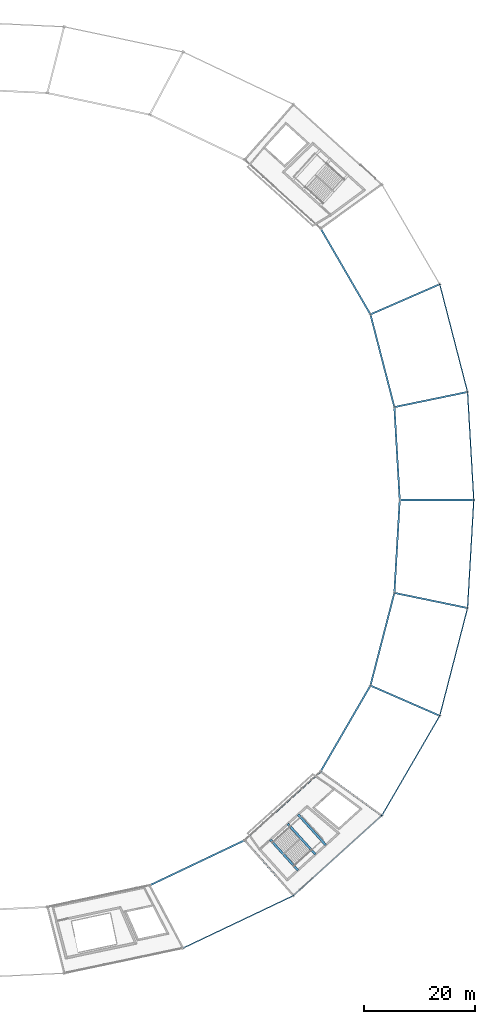
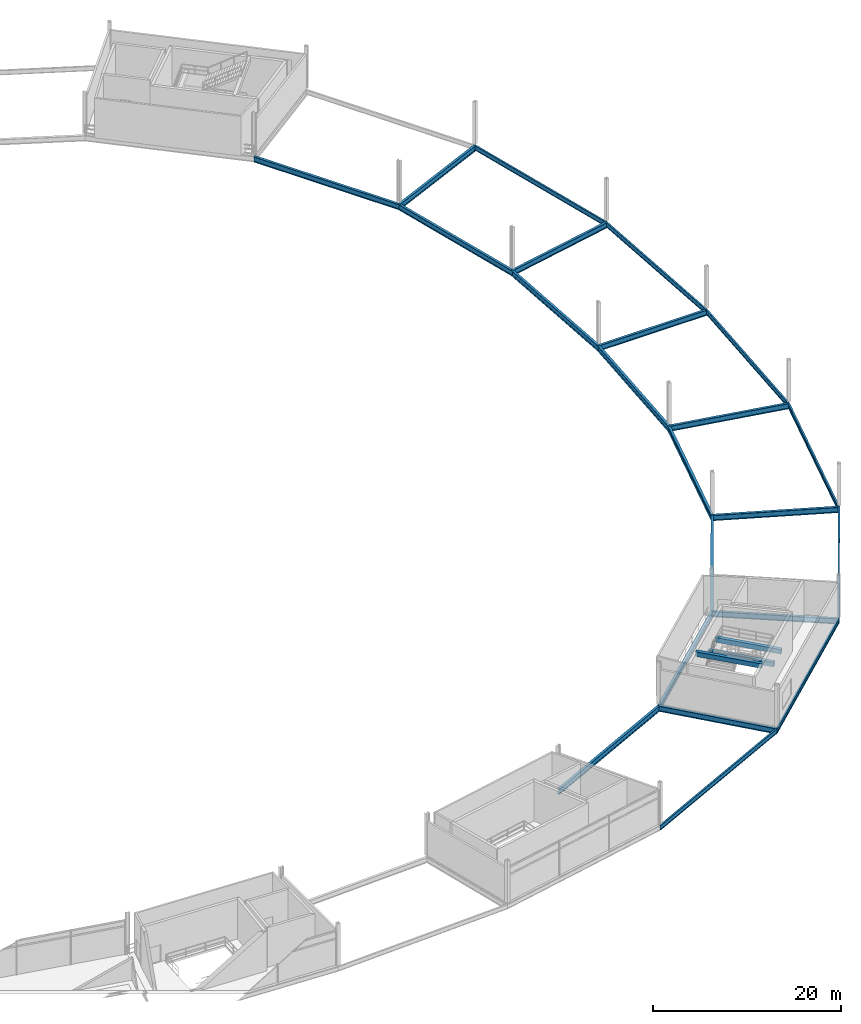
# One storey, part 47 of 86: 25 beams.
"""IFC4 building model written with IfcOpenShell, lengths in metres."""

from ifc_helpers import new_model, si_unit, direction, frame, origin, origin_2d, place, context, subcontext, project, spatial, rectangle, i_section, extrude, material, material_profile, profile_set, type_object, element, save


model = new_model("IFC4")

# Units and contexts
model_context = context("Model", 3, precision=1e-05, world=origin(), true_north=direction((0.0, 1.0)))
body_context = subcontext(model_context, "Body", "Model", "MODEL_VIEW")
ifc_project = project(units=[si_unit("LENGTHUNIT", "METRE"), si_unit("AREAUNIT", "SQUARE_METRE"), si_unit("VOLUMEUNIT", "CUBIC_METRE"), si_unit("PLANEANGLEUNIT", "RADIAN"), si_unit("MASSUNIT", "GRAM", prefix="KILO")], contexts=[model_context])

# Site, building, storey
site_placement = place(None, origin())
site = spatial("IfcSite", under=ifc_project, at=site_placement, CompositionType="ELEMENT")
building_placement = place(site_placement, origin())
building = spatial("IfcBuilding", under=site, at=building_placement, Name="Kazemori Nagisa Stadium", CompositionType="ELEMENT")
storey_placement = place(building_placement, frame((0.0, 0.0, 31.280029296875)))
storey = spatial("IfcBuildingStorey", under=building, at=storey_placement, Name="L06", CompositionType="ELEMENT", Elevation=31.280029296875)

# Beams
ifc_material_1 = material(Name="Steel SN490B", Category="steel")
ifc_material_profile_1 = material_profile(ifc_material_1, i_section(OverallWidth=0.300048828125, OverallDepth=0.699951171875, WebThickness=0.012939453125, FlangeThickness=0.02392578125, FilletRadius=0.01806640625, at=origin_2d()), Name="H-700x300x13x24")
ifc_profile_set_1 = profile_set([ifc_material_profile_1], Name="Steel SN490B")
beam_type_1 = type_object("IfcBeamType", Name="Beam_BG-H700", PredefinedType="BEAM", material=ifc_profile_set_1)
beam_1_placement = place(storey_placement, frame((204.699951171875, 102.0, -0.610107421875), z_axis=(-0.057594854854, 0.998340038611, 0.0), x_axis=(-0.998340038611, -0.057594854854, 0.0)))
element("IfcBeam", 1, at=beam_1_placement, inside=storey, type_object=beam_type_1, Name="Ring girder BG-H700 L06 R2-01", PredefinedType="BEAM", context=body_context, shape_type="SweptSolid", body=[
    extrude(i_section(OverallWidth=0.300048828125, OverallDepth=0.699951171875, WebThickness=0.012939453125, FlangeThickness=0.02392578125, FilletRadius=0.01806640625, at=origin_2d()), origin(), (0.0, 0.0, 1.0), 16.7099609375),
])
beam_2_placement = place(storey_placement, frame((203.737548828125, 118.68212890625, -0.610107421875), z_axis=(-0.249974673676, 0.968252375427, 0.0), x_axis=(-0.968252375427, -0.249974673676, 0.0)))
element("IfcBeam", 2, at=beam_2_placement, inside=storey, type_object=beam_type_1, Name="Ring girder BG-H700 L06 R2-02", PredefinedType="BEAM", context=body_context, shape_type="SweptSolid", body=[
    extrude(i_section(OverallWidth=0.300048828125, OverallDepth=0.699951171875, WebThickness=0.012939453125, FlangeThickness=0.02392578125, FilletRadius=0.01806640625, at=origin_2d()), origin(), (0.0, 0.0, 1.0), 17.188232421875),
])
beam_3_placement = place(storey_placement, frame((199.44091796875, 135.32470703125, -0.610107421875), z_axis=(-0.501606704589, 0.865095783085, 0.0), x_axis=(-0.865095783085, -0.501606704589, 0.0)))
element("IfcBeam", 3, at=beam_3_placement, inside=storey, type_object=beam_type_1, Name="Ring girder BG-H700 L06 R2-03", PredefinedType="BEAM", context=body_context, shape_type="SweptSolid", body=[
    extrude(i_section(OverallWidth=0.300048828125, OverallDepth=0.699951171875, WebThickness=0.012939453125, FlangeThickness=0.02392578125, FilletRadius=0.01806640625, at=origin_2d()), origin(), (0.0, 0.0, 1.0), 17.8125),
])
beam_4_placement = place(storey_placement, frame((159.81201171875, 32.80078125, -0.610107421875), z_axis=(0.90321938295, 0.42917915404, 0.0), x_axis=(-0.42917915404, 0.90321938295, 0.0)))
element("IfcBeam", 4, at=beam_4_placement, inside=storey, type_object=beam_type_1, Name="Ring girder BG-H700 L06 R2-24", PredefinedType="BEAM", context=body_context, shape_type="SweptSolid", body=[
    extrude(i_section(OverallWidth=0.300048828125, OverallDepth=0.699951171875, WebThickness=0.012939453125, FlangeThickness=0.02392578125, FilletRadius=0.01806640625, at=origin_2d()), origin(), (0.0, 0.0, 1.0), 18.84619140625),
])
beam_5_placement = place(storey_placement, frame((176.834228515625, 40.88916015625, -0.610107421875), z_axis=(0.741349142139, 0.671119549298, 0.0), x_axis=(-0.671119549298, 0.741349142139, 0.0)))
element("IfcBeam", 5, at=beam_5_placement, inside=storey, type_object=beam_type_1, Name="Ring girder BG-H700 L06 R2-25", PredefinedType="BEAM", context=body_context, shape_type="SweptSolid", body=[
    extrude(i_section(OverallWidth=0.300048828125, OverallDepth=0.699951171875, WebThickness=0.012939453125, FlangeThickness=0.02392578125, FilletRadius=0.01806640625, at=origin_2d()), origin(), (0.0, 0.0, 1.0), 18.44189453125),
])
beam_6_placement = place(storey_placement, frame((190.506103515625, 53.265869140625, -0.610107421875), z_axis=(0.501606704589, 0.865095783085, 0.0), x_axis=(-0.865095783085, 0.501606704589, 0.0)))
element("IfcBeam", 6, at=beam_6_placement, inside=storey, type_object=beam_type_1, Name="Ring girder BG-H700 L06 R2-26", PredefinedType="BEAM", context=body_context, shape_type="SweptSolid", body=[
    extrude(i_section(OverallWidth=0.300048828125, OverallDepth=0.699951171875, WebThickness=0.012939453125, FlangeThickness=0.02392578125, FilletRadius=0.01806640625, at=origin_2d()), origin(), (0.0, 0.0, 1.0), 17.8125),
])
beam_7_placement = place(storey_placement, frame((199.44091796875, 68.67529296875, -0.610107421875), z_axis=(0.249974673676, 0.968252375427, 0.0), x_axis=(-0.968252375427, 0.249974673676, 0.0)))
element("IfcBeam", 7, at=beam_7_placement, inside=storey, type_object=beam_type_1, Name="Ring girder BG-H700 L06 R2-27", PredefinedType="BEAM", context=body_context, shape_type="SweptSolid", body=[
    extrude(i_section(OverallWidth=0.300048828125, OverallDepth=0.699951171875, WebThickness=0.012939453125, FlangeThickness=0.02392578125, FilletRadius=0.01806640625, at=origin_2d()), origin(), (0.0, 0.0, 1.0), 17.188232421875),
])
beam_8_placement = place(storey_placement, frame((203.737548828125, 85.31787109375, -0.610107421875), z_axis=(0.057594854854, 0.998340038611, 0.0), x_axis=(-0.998340038611, 0.057594854854, 0.0)))
element("IfcBeam", 8, at=beam_8_placement, inside=storey, type_object=beam_type_1, Name="Ring girder BG-H700 L06 R2-28", PredefinedType="BEAM", context=body_context, shape_type="SweptSolid", body=[
    extrude(i_section(OverallWidth=0.300048828125, OverallDepth=0.699951171875, WebThickness=0.012939453125, FlangeThickness=0.02392578125, FilletRadius=0.01806640625, at=origin_2d()), origin(), (0.0, 0.0, 1.0), 16.7099609375),
])
beam_9_placement = place(storey_placement, frame((204.699951171875, 102.0, -0.610107421875), z_axis=(1.0, 0.0, 0.0), x_axis=(0.0, 1.0, 0.0)))
element("IfcBeam", 9, at=beam_9_placement, inside=storey, type_object=beam_type_1, Name="Radial girder BG-H700 L06 R2-R3-01", PredefinedType="BEAM", context=body_context, shape_type="SweptSolid", body=[
    extrude(i_section(OverallWidth=0.300048828125, OverallDepth=0.699951171875, WebThickness=0.012939453125, FlangeThickness=0.02392578125, FilletRadius=0.01806640625, at=origin_2d()), origin(), (0.0, 0.0, 1.0), 13.300048828125),
])
beam_10_placement = place(storey_placement, frame((203.737548828125, 118.68212890625, -0.610107421875), z_axis=(0.979315516463, 0.202339119339, 0.0), x_axis=(-0.202339119339, 0.979315516463, 0.0)))
element("IfcBeam", 10, at=beam_10_placement, inside=storey, type_object=beam_type_1, Name="Radial girder BG-H700 L06 R2-R3-02", PredefinedType="BEAM", context=body_context, shape_type="SweptSolid", body=[
    extrude(i_section(OverallWidth=0.300048828125, OverallDepth=0.699951171875, WebThickness=0.012939453125, FlangeThickness=0.02392578125, FilletRadius=0.01806640625, at=origin_2d()), origin(), (0.0, 0.0, 1.0), 13.4208984375),
])
beam_11_placement = place(storey_placement, frame((199.44091796875, 135.32470703125, -0.610107421875), z_axis=(0.916683633521, 0.399613708517, 0.0), x_axis=(-0.399613708517, 0.916683633521, 0.0)))
element("IfcBeam", 11, at=beam_11_placement, inside=storey, type_object=beam_type_1, Name="Radial girder BG-H700 L06 R2-R3-03", PredefinedType="BEAM", context=body_context, shape_type="SweptSolid", body=[
    extrude(i_section(OverallWidth=0.300048828125, OverallDepth=0.699951171875, WebThickness=0.012939453125, FlangeThickness=0.02392578125, FilletRadius=0.01806640625, at=origin_2d()), origin(), (0.0, 0.0, 1.0), 13.5751953125),
])
beam_12_placement = place(storey_placement, frame((176.834228515625, 40.88916015625, -0.610107421875), z_axis=(0.661019680997, -0.750368563664, 0.0), x_axis=(0.750368563664, 0.661019680997, 0.0)))
element("IfcBeam", 12, at=beam_12_placement, inside=storey, type_object=beam_type_1, Name="Radial girder BG-H700 L06 R2-R3-25", PredefinedType="BEAM", context=body_context, shape_type="SweptSolid", body=[
    extrude(i_section(OverallWidth=0.300048828125, OverallDepth=0.699951171875, WebThickness=0.012939453125, FlangeThickness=0.02392578125, FilletRadius=0.01806640625, at=origin_2d()), origin(), (0.0, 0.0, 1.0), 13.2578125),
])
beam_13_placement = place(storey_placement, frame((190.506103515625, 53.265869140625, -0.610107421875), z_axis=(0.810787509935, -0.585340596349, 0.0), x_axis=(0.585340596349, 0.810787509935, 0.0)))
element("IfcBeam", 13, at=beam_13_placement, inside=storey, type_object=beam_type_1, Name="Radial girder BG-H700 L06 R2-R3-26", PredefinedType="BEAM", context=body_context, shape_type="SweptSolid", body=[
    extrude(i_section(OverallWidth=0.300048828125, OverallDepth=0.699951171875, WebThickness=0.012939453125, FlangeThickness=0.02392578125, FilletRadius=0.01806640625, at=origin_2d()), origin(), (0.0, 0.0, 1.0), 13.5537109375),
])
beam_14_placement = place(storey_placement, frame((199.44091796875, 68.67529296875, -0.610107421875), z_axis=(0.916683633521, -0.399613708517, 0.0), x_axis=(0.399613708517, 0.916683633521, 0.0)))
element("IfcBeam", 14, at=beam_14_placement, inside=storey, type_object=beam_type_1, Name="Radial girder BG-H700 L06 R2-R3-27", PredefinedType="BEAM", context=body_context, shape_type="SweptSolid", body=[
    extrude(i_section(OverallWidth=0.300048828125, OverallDepth=0.699951171875, WebThickness=0.012939453125, FlangeThickness=0.02392578125, FilletRadius=0.01806640625, at=origin_2d()), origin(), (0.0, 0.0, 1.0), 13.5751953125),
])
beam_15_placement = place(storey_placement, frame((203.737548828125, 85.31787109375, -0.610107421875), z_axis=(0.979315516463, -0.202339119339, 0.0), x_axis=(0.202339119339, 0.979315516463, 0.0)))
element("IfcBeam", 15, at=beam_15_placement, inside=storey, type_object=beam_type_1, Name="Radial girder BG-H700 L06 R2-R3-28", PredefinedType="BEAM", context=body_context, shape_type="SweptSolid", body=[
    extrude(i_section(OverallWidth=0.300048828125, OverallDepth=0.699951171875, WebThickness=0.012939453125, FlangeThickness=0.02392578125, FilletRadius=0.01806640625, at=origin_2d()), origin(), (0.0, 0.0, 1.0), 13.4208984375),
])
ifc_material_2 = material(Name="Concrete C40/50 (Fc42)", Category="concrete")
ifc_material_profile_2 = material_profile(ifc_material_2, rectangle(XDim=0.39990234375, YDim=0.60009765625, at=origin_2d()), Name="RC-BM-400x600")
ifc_profile_set_2 = profile_set([ifc_material_profile_2], Name="Concrete C40/50 (Fc42)")
beam_type_2 = type_object("IfcBeamType", Name="Beam_BG-LND400X600", PredefinedType="BEAM", material=ifc_profile_set_2)
beam_16_placement = place(storey_placement, frame((184.60400390625, 43.835693359375, 2.219970703125), z_axis=(0.671095068472, -0.741371303108, 0.0), x_axis=(0.741371303108, 0.671095068472, 0.0)))
element("IfcBeam", 16, at=beam_16_placement, inside=storey, type_object=beam_type_2, Name="Core stair mid-landing girder ST04-L06-1", PredefinedType="BEAM", context=body_context, shape_type="SweptSolid", body=[
    extrude(rectangle(XDim=0.39990234375, YDim=0.60009765625, at=origin_2d()), origin(), (0.0, 0.0, 1.0), 7.3857421875),
])
for number, where, z_axis, x_axis, name in (
    (17, (186.457275390625, 45.513427734375, 2.219970703125), (0.671113236271, -0.74135485707, 0.0), (0.74135485707, 0.671113236271, 0.0), "Core stair mid-landing girder ST04-L06-2"),
    (18, (181.456787109375, 40.98681640625, 4.85986328125), (0.671113236271, -0.74135485707, 0.0), (0.74135485707, 0.671113236271, 0.0), "Core stair arrival header girder ST04-L06"),
):
    element("IfcBeam", number, at=place(storey_placement, frame(where, z_axis=z_axis, x_axis=x_axis)), inside=storey, type_object=beam_type_2, Name=name, PredefinedType="BEAM", context=body_context, shape_type="SweptSolid", body=[
        extrude(rectangle(XDim=0.39990234375, YDim=0.60009765625, at=origin_2d()), origin(), (0.0, 0.0, 1.0), 7.385986328125),
    ])
ifc_material_profile_3 = material_profile(ifc_material_1, i_section(OverallWidth=0.199951171875, OverallDepth=0.60009765625, WebThickness=0.010986328125, FlangeThickness=0.01708984375, FilletRadius=0.012939453125, at=origin_2d()), Name="H-600x200x11x17")
ifc_profile_set_3 = profile_set([ifc_material_profile_3], Name="Steel SN490B")
beam_type_3 = type_object("IfcBeamType", Name="Beam_BS-H600", PredefinedType="SPANDREL", material=ifc_profile_set_3)
beam_17_placement = place(storey_placement, frame((218.0, 102.0, -0.56005859375), z_axis=(-0.057598702622, 0.998339816624, 0.0), x_axis=(-0.998339816624, -0.057598702622, 0.0)))
element("IfcBeam", 19, at=beam_17_placement, inside=storey, type_object=beam_type_3, Name="Ring girder BS-H600 L06 R3-01", PredefinedType="SPANDREL", context=body_context, shape_type="SweptSolid", body=[
    extrude(i_section(OverallWidth=0.199951171875, OverallDepth=0.60009765625, WebThickness=0.010986328125, FlangeThickness=0.01708984375, FilletRadius=0.012939453125, at=origin_2d()), origin(), (0.0, 0.0, 1.0), 19.429931640625),
])
beam_18_placement = place(storey_placement, frame((216.880859375, 121.397705078125, -0.56005859375), z_axis=(-0.249964097999, 0.968255105699, 0.0), x_axis=(-0.968255105699, -0.249964097999, 0.0)))
element("IfcBeam", 20, at=beam_18_placement, inside=storey, type_object=beam_type_3, Name="Ring girder BS-H600 L06 R3-02", PredefinedType="SPANDREL", context=body_context, shape_type="SweptSolid", body=[
    extrude(i_section(OverallWidth=0.199951171875, OverallDepth=0.60009765625, WebThickness=0.010986328125, FlangeThickness=0.01708984375, FilletRadius=0.012939453125, at=origin_2d()), origin(), (0.0, 0.0, 1.0), 19.986328125),
])
beam_19_placement = place(storey_placement, frame((165.8046875, 21.53564453125, -0.56005859375), z_axis=(0.903215644095, 0.429187022475, 0.0), x_axis=(-0.429187022475, 0.903215644095, 0.0)))
element("IfcBeam", 21, at=beam_19_placement, inside=storey, type_object=beam_type_3, Name="Ring girder BS-H600 L06 R3-24", PredefinedType="SPANDREL", context=body_context, shape_type="SweptSolid", body=[
    extrude(i_section(OverallWidth=0.199951171875, OverallDepth=0.60009765625, WebThickness=0.010986328125, FlangeThickness=0.01708984375, FilletRadius=0.012939453125, at=origin_2d()), origin(), (0.0, 0.0, 1.0), 21.9140625),
])
beam_20_placement = place(storey_placement, frame((185.597900390625, 30.94091796875, -0.56005859375), z_axis=(0.741351531326, 0.671116910084, 0.0), x_axis=(-0.671116910084, 0.741351531326, 0.0)))
element("IfcBeam", 22, at=beam_20_placement, inside=storey, type_object=beam_type_3, Name="Ring girder BS-H600 L06 R3-25", PredefinedType="SPANDREL", context=body_context, shape_type="SweptSolid", body=[
    extrude(i_section(OverallWidth=0.199951171875, OverallDepth=0.60009765625, WebThickness=0.010986328125, FlangeThickness=0.01708984375, FilletRadius=0.012939453125, at=origin_2d()), origin(), (0.0, 0.0, 1.0), 21.44384765625),
])
beam_21_placement = place(storey_placement, frame((201.495361328125, 45.332275390625, -0.56005859375), z_axis=(0.50161277459, 0.8650922635, 0.0), x_axis=(-0.8650922635, 0.50161277459, 0.0)))
element("IfcBeam", 23, at=beam_21_placement, inside=storey, type_object=beam_type_3, Name="Ring girder BS-H600 L06 R3-26", PredefinedType="SPANDREL", context=body_context, shape_type="SweptSolid", body=[
    extrude(i_section(OverallWidth=0.199951171875, OverallDepth=0.60009765625, WebThickness=0.010986328125, FlangeThickness=0.01708984375, FilletRadius=0.012939453125, at=origin_2d()), origin(), (0.0, 0.0, 1.0), 20.71240234375),
])
beam_22_placement = place(storey_placement, frame((211.885009765625, 63.25048828125, -0.56005859375), z_axis=(0.249964097999, 0.968255105699, 0.0), x_axis=(-0.968255105699, 0.249964097999, 0.0)))
element("IfcBeam", 24, at=beam_22_placement, inside=storey, type_object=beam_type_3, Name="Ring girder BS-H600 L06 R3-27", PredefinedType="SPANDREL", context=body_context, shape_type="SweptSolid", body=[
    extrude(i_section(OverallWidth=0.199951171875, OverallDepth=0.60009765625, WebThickness=0.010986328125, FlangeThickness=0.01708984375, FilletRadius=0.012939453125, at=origin_2d()), origin(), (0.0, 0.0, 1.0), 19.986328125),
])
beam_23_placement = place(storey_placement, frame((216.880859375, 82.602294921875, -0.56005859375), z_axis=(0.057598702622, 0.998339816624, 0.0), x_axis=(-0.998339816624, 0.057598702622, 0.0)))
element("IfcBeam", 25, at=beam_23_placement, inside=storey, type_object=beam_type_3, Name="Ring girder BS-H600 L06 R3-28", PredefinedType="SPANDREL", context=body_context, shape_type="SweptSolid", body=[
    extrude(i_section(OverallWidth=0.199951171875, OverallDepth=0.60009765625, WebThickness=0.010986328125, FlangeThickness=0.01708984375, FilletRadius=0.012939453125, at=origin_2d()), origin(), (0.0, 0.0, 1.0), 19.429931640625),
])

save(model, "model.ifc")
